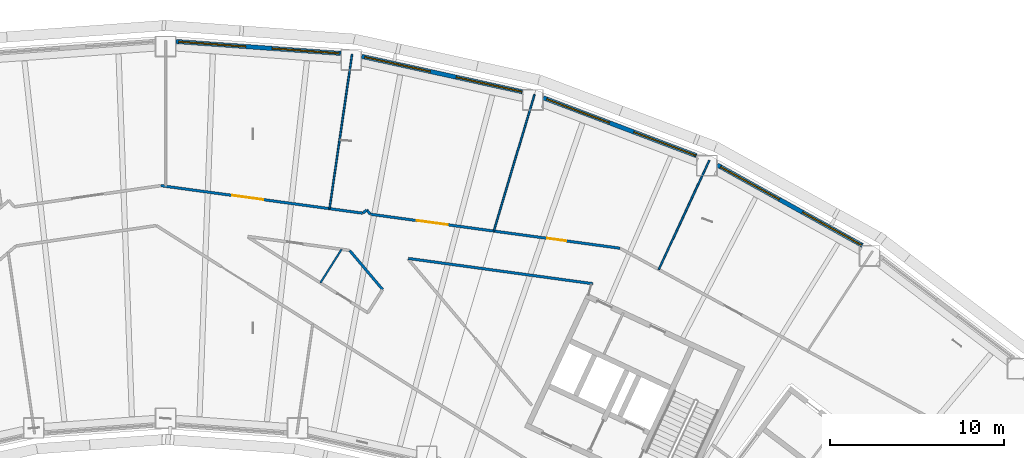
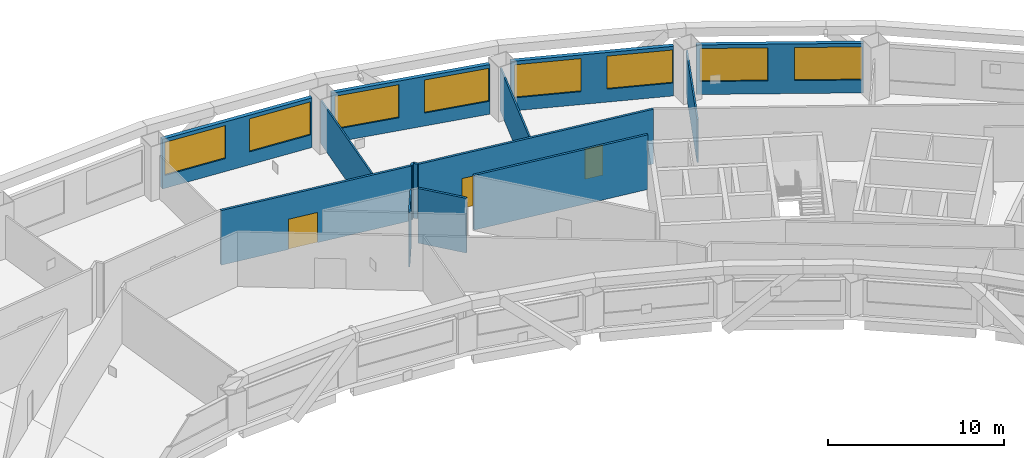
# One storey, part 8 of 19: 14 walls, 8 windows, 3 doors, 11 openings.
"""IFC4 building model written with IfcOpenShell, lengths in metres."""

from ifc_helpers import new_model, si_unit, direction, frame, frame_2d, origin, place, context, subcontext, project, spatial, rectangle, extrude, material, layer, layer_set, type_object, element, fill, save


model = new_model("IFC4")

# Units and contexts
model_context = context("Model", 3, precision=1e-05, world=origin(), true_north=direction((0.0, 1.0)))
body_context = subcontext(model_context, "Body", "Model", "MODEL_VIEW")
ifc_project = project(units=[si_unit("LENGTHUNIT", "METRE"), si_unit("AREAUNIT", "SQUARE_METRE"), si_unit("VOLUMEUNIT", "CUBIC_METRE"), si_unit("PLANEANGLEUNIT", "RADIAN"), si_unit("MASSUNIT", "GRAM", prefix="KILO")], contexts=[model_context])

# Site, building, storey
site_placement = place(None, origin())
site = spatial("IfcSite", under=ifc_project, at=site_placement, CompositionType="ELEMENT")
building_placement = place(site_placement, origin())
building = spatial("IfcBuilding", under=site, at=building_placement, Name="Tuul Gate Civic Tower", CompositionType="ELEMENT")
storey_placement = place(building_placement, frame((0.0, 0.0, 90.60009765625)))
storey = spatial("IfcBuildingStorey", under=building, at=storey_placement, Name="Level 20", CompositionType="ELEMENT", Elevation=90.60009765625)

# Wall, opening, door
ifc_material_1 = material(Name="Gypsum board partition")
ifc_layer_1 = layer(ifc_material_1, 0.14990234375)
ifc_layer_set_1 = layer_set([ifc_layer_1], Name="Gypsum board partition")
wall_type_1 = type_object("IfcWallType", Name="Corridor wall P150", PredefinedType="PARTITIONING", material=ifc_layer_set_1)
wall_1_placement = place(storey_placement, frame((4.52392578125, 10.715087890625, 0.0), z_axis=(0.0, 0.0, 1.0), x_axis=(0.990835627406, -0.135073163368, 0.0)))
wall_1 = element("IfcWall", 1, at=wall_1_placement, inside=storey, type_object=wall_type_1, Name="p011", PredefinedType="PARTITIONING", context=body_context, shape_type="SweptSolid", body=[
    extrude(rectangle(XDim=11.69970703125, YDim=0.14990234375, at=frame_2d((5.849853515625, 0.0))), origin(), (0.0, 0.0, 1.0), 3.7998046875),
])
opening_1_placement = place(wall_1_placement, frame((4.13330078125, 0.0, 0.0)))
opening_1 = element("IfcOpeningElement", 2, at=opening_1_placement, cuts=wall_1, Name="Opening F-D05", PredefinedType="OPENING", context=body_context, shape_type="SweptSolid", body=[
    extrude(rectangle(XDim=1.800048828125, YDim=2.10009765625, at=frame_2d((0.89990234375, 1.050048828125))), frame((0.0, 0.0849609375, 0.0), z_axis=(0.0, -1.0, 0.0), x_axis=(1.0, 0.0, 0.0)), (0.0, 0.0, 1.0), 0.169921875),
])
ifc_material_2 = material(Name="Timber door leaf, double", Category="wood")
door_type_1 = type_object("IfcDoorType", Name="Door D18", OperationType="DOUBLE_DOOR_SINGLE_SWING", PredefinedType="DOOR", material=ifc_material_2)
door_1_placement = place(opening_1_placement, origin())
door_1 = element("IfcDoor", 3, at=door_1_placement, inside=storey, type_object=door_type_1, Name="Door F-D05", OperationType="DOUBLE_DOOR_SINGLE_SWING", OverallHeight=2.10009765625, OverallWidth=1.800048828125, PredefinedType="DOOR", context=body_context, shape_type="SweptSolid", body=[
    extrude(rectangle(XDim=1.800048828125, YDim=2.10009765625, at=frame_2d((0.89990234375, 1.050048828125))), frame((0.0, 0.02490234375, 0.0), z_axis=(0.0, -1.0, 0.0), x_axis=(1.0, 0.0, 0.0)), (0.0, 0.0, 1.0), 0.050048828125),
])
fill(opening_1, door_1)

# Wall, openings, doors
wall_2_placement = place(storey_placement, frame((16.561767578125, 9.07421875, 0.0), z_axis=(0.0, 0.0, 1.0), x_axis=(0.990834690685, -0.135080034555, 0.0)))
wall_2 = element("IfcWall", 4, at=wall_2_placement, inside=storey, type_object=wall_type_1, Name="p012", PredefinedType="PARTITIONING", context=body_context, shape_type="SweptSolid", body=[
    extrude(rectangle(XDim=14.451904296875, YDim=0.14990234375, at=frame_2d((7.22607421875, 0.0))), origin(), (0.0, 0.0, 1.0), 3.7998046875),
])
opening_2_placement = place(wall_2_placement, frame((10.25, 0.0, 0.0)))
opening_2 = element("IfcOpeningElement", 5, at=opening_2_placement, cuts=wall_2, Name="Opening F-D03", PredefinedType="OPENING", context=body_context, shape_type="SweptSolid", body=[
    extrude(rectangle(XDim=1.10009765625, YDim=2.10009765625, at=frame_2d((0.550048828125, 1.050048828125))), frame((0.0, 0.0849609375, 0.0), z_axis=(0.0, -1.0, 0.0), x_axis=(1.0, 0.0, 0.0)), (0.0, 0.0, 1.0), 0.169921875),
])
opening_3_placement = place(wall_2_placement, frame((2.674072265625, 0.0, 0.0)))
opening_3 = element("IfcOpeningElement", 6, at=opening_3_placement, cuts=wall_2, Name="Opening F-D04", PredefinedType="OPENING", context=body_context, shape_type="SweptSolid", body=[
    extrude(rectangle(XDim=1.800048828125, YDim=2.10009765625, at=frame_2d((0.89990234375, 1.050048828125))), frame((0.0, 0.0849609375, 0.0), z_axis=(0.0, -1.0, 0.0), x_axis=(1.0, 0.0, 0.0)), (0.0, 0.0, 1.0), 0.169921875),
])
ifc_material_3 = material(Name="Timber door leaf", Category="wood")
door_type_2 = type_object("IfcDoorType", Name="Door D11", OperationType="NOTDEFINED", PredefinedType="DOOR", material=ifc_material_3)
door_2_placement = place(opening_2_placement, origin())
door_2 = element("IfcDoor", 7, at=door_2_placement, inside=storey, type_object=door_type_2, Name="Door F-D03", OperationType="SINGLE_SWING_RIGHT", OverallHeight=2.10009765625, OverallWidth=1.10009765625, PredefinedType="DOOR", context=body_context, shape_type="SweptSolid", body=[
    extrude(rectangle(XDim=1.10009765625, YDim=2.10009765625, at=frame_2d((0.550048828125, 1.050048828125))), frame((0.0, 0.02490234375, 0.0), z_axis=(0.0, -1.0, 0.0), x_axis=(1.0, 0.0, 0.0)), (0.0, 0.0, 1.0), 0.050048828125),
])
fill(opening_2, door_2)
door_3_placement = place(opening_3_placement, origin())
door_3 = element("IfcDoor", 8, at=door_3_placement, inside=storey, type_object=door_type_1, Name="Door F-D04", OperationType="DOUBLE_DOOR_SINGLE_SWING", OverallHeight=2.10009765625, OverallWidth=1.800048828125, PredefinedType="DOOR", context=body_context, shape_type="SweptSolid", body=[
    extrude(rectangle(XDim=1.800048828125, YDim=2.10009765625, at=frame_2d((0.89990234375, 1.050048828125))), frame((0.0, 0.02490234375, 0.0), z_axis=(0.0, -1.0, 0.0), x_axis=(1.0, 0.0, 0.0)), (0.0, 0.0, 1.0), 0.050048828125),
])
fill(opening_3, door_3)

# Walls
wall_3_placement = place(storey_placement, frame((16.346923828125, 9.3203125, 0.0), z_axis=(0.0, 0.0, 1.0), x_axis=(0.645837465776, -0.763474929385, 0.0)))
element("IfcWall", 9, at=wall_3_placement, inside=storey, type_object=wall_type_1, Name="p015", PredefinedType="PARTITIONING", context=body_context, shape_type="SweptSolid", body=[
    extrude(rectangle(XDim=0.3134765625, YDim=0.14990234375, at=frame_2d((0.15673828125, 0.0))), origin(), (0.0, 0.0, 1.0), 3.7998046875),
])
wall_4_placement = place(storey_placement, frame((16.132080078125, 9.139404296875, 0.0), z_axis=(0.0, 0.0, 1.0), x_axis=(0.764211041298, 0.644966266062, 0.0)))
element("IfcWall", 10, at=wall_4_placement, inside=storey, type_object=wall_type_1, Name="p017", PredefinedType="PARTITIONING", context=body_context, shape_type="SweptSolid", body=[
    extrude(rectangle(XDim=0.280517578125, YDim=0.14990234375, at=frame_2d((0.14013671875, 0.0))), origin(), (0.0, 0.0, 1.0), 3.7998046875),
])
wall_5_placement = place(storey_placement, frame((15.366943359375, 6.993896484375, 0.0), z_axis=(0.0, 0.0, 1.0), x_axis=(0.645340752688, -0.76389483106, 0.0)))
element("IfcWall", 11, at=wall_5_placement, inside=storey, type_object=wall_type_1, Name="p039", PredefinedType="PARTITIONING", context=body_context, shape_type="SweptSolid", body=[
    extrude(rectangle(XDim=2.930419921875, YDim=0.14990234375, at=frame_2d((1.46533203125, 0.0))), origin(), (0.0, 0.0, 1.0), 3.7998046875),
])
wall_6_placement = place(storey_placement, frame((18.736083984375, 6.53662109375, 0.0), z_axis=(0.0, 0.0, 1.0), x_axis=(0.990753616784, -0.135673397645, 0.0)))
element("IfcWall", 12, at=wall_6_placement, inside=storey, type_object=wall_type_1, Name="p049", PredefinedType="PARTITIONING", context=body_context, shape_type="SweptSolid", body=[
    extrude(rectangle(XDim=10.696044921875, YDim=0.14990234375, at=frame_2d((5.34814453125, 0.0))), origin(), (0.0, 0.0, 1.0), 3.7998046875),
])

# Wall, openings, windows
ifc_material_4 = material(Name="Precast concrete C40/50", Category="concrete")
ifc_layer_2 = layer(ifc_material_4, 0.25)
ifc_layer_set_2 = layer_set([ifc_layer_2], Name="Precast concrete C40/50")
wall_type_2 = type_object("IfcWallType", Name="External wall", PredefinedType="STANDARD", material=ifc_layer_set_2)
wall_7_placement = place(storey_placement, frame((44.798583984375, 7.283935546875, 0.0), z_axis=(0.0, 0.0, 1.0), x_axis=(-0.874600835604, 0.484843663835, 0.0)))
wall_7 = element("IfcWall", 13, at=wall_7_placement, inside=storey, type_object=wall_type_2, Name="External wall", PredefinedType="STANDARD", context=body_context, shape_type="SweptSolid", body=[
    extrude(rectangle(XDim=9.5205078125, YDim=0.25, at=frame_2d((4.76025390625, 0.0))), origin(), (0.0, 0.0, 1.0), 3.449951171875),
])
opening_4_placement = place(wall_7_placement, frame((0.0771484375, 0.0, 0.89990234375)))
opening_4 = element("IfcOpeningElement", 14, at=opening_4_placement, cuts=wall_7, Name="Opening W22", PredefinedType="OPENING", context=body_context, shape_type="SweptSolid", body=[
    extrude(rectangle(XDim=3.85009765625, YDim=2.300048828125, at=frame_2d((1.925048828125, 1.14990234375))), frame((0.0, 0.135009765625, 0.0), z_axis=(0.0, -1.0, 0.0), x_axis=(1.0, 0.0, 0.0)), (0.0, 0.0, 1.0), 0.27001953125),
])
opening_5_placement = place(wall_7_placement, frame((5.447998046875, 0.0, 0.89990234375)))
opening_5 = element("IfcOpeningElement", 15, at=opening_5_placement, cuts=wall_7, Name="Opening W22", PredefinedType="OPENING", context=body_context, shape_type="SweptSolid", body=[
    extrude(rectangle(XDim=3.85009765625, YDim=2.300048828125, at=frame_2d((1.925048828125, 1.14990234375))), frame((0.0, 0.135009765625, 0.0), z_axis=(0.0, -1.0, 0.0), x_axis=(1.0, 0.0, 0.0)), (0.0, 0.0, 1.0), 0.27001953125),
])
ifc_material_5 = material(Name="Glass", Category="glass")
window_type_1 = type_object("IfcWindowType", Name="Window W22 3850 x 2300", PartitioningType="SINGLE_PANEL", PredefinedType="WINDOW", material=ifc_material_5)
window_1_placement = place(opening_4_placement, origin())
window_1 = element("IfcWindow", 16, at=window_1_placement, inside=storey, type_object=window_type_1, Name="Window", OverallHeight=2.300048828125, OverallWidth=3.85009765625, PartitioningType="SINGLE_PANEL", PredefinedType="WINDOW", context=body_context, shape_type="SweptSolid", body=[
    extrude(rectangle(XDim=3.85009765625, YDim=2.300048828125, at=frame_2d((1.925048828125, 1.14990234375))), frame((0.0, 0.030029296875, 0.0), z_axis=(0.0, -1.0, 0.0), x_axis=(1.0, 0.0, 0.0)), (0.0, 0.0, 1.0), 0.06005859375),
])
fill(opening_4, window_1)
window_2_placement = place(opening_5_placement, origin())
window_2 = element("IfcWindow", 17, at=window_2_placement, inside=storey, type_object=window_type_1, Name="Window", OverallHeight=2.300048828125, OverallWidth=3.85009765625, PartitioningType="SINGLE_PANEL", PredefinedType="WINDOW", context=body_context, shape_type="SweptSolid", body=[
    extrude(rectangle(XDim=3.85009765625, YDim=2.300048828125, at=frame_2d((1.925048828125, 1.14990234375))), frame((0.0, 0.030029296875, 0.0), z_axis=(0.0, -1.0, 0.0), x_axis=(1.0, 0.0, 0.0)), (0.0, 0.0, 1.0), 0.06005859375),
])
fill(opening_5, window_2)

wall_8_placement = place(storey_placement, frame((35.27197265625, 12.43505859375, 0.0), z_axis=(0.0, 0.0, 1.0), x_axis=(-0.935339717619, 0.35375077759, 0.0)))
wall_8 = element("IfcWall", 18, at=wall_8_placement, inside=storey, type_object=wall_type_2, Name="External wall", PredefinedType="STANDARD", context=body_context, shape_type="SweptSolid", body=[
    extrude(rectangle(XDim=9.394287109375, YDim=0.25, at=frame_2d((4.697265625, 0.0))), origin(), (0.0, 0.0, 1.0), 3.449951171875),
])
opening_6_placement = place(wall_8_placement, frame((0.044921875, 0.0, 0.89990234375)))
opening_6 = element("IfcOpeningElement", 19, at=opening_6_placement, cuts=wall_8, Name="Opening W100", PredefinedType="OPENING", context=body_context, shape_type="SweptSolid", body=[
    extrude(rectangle(XDim=3.800048828125, YDim=2.300048828125, at=frame_2d((1.89990234375, 1.14990234375))), frame((0.0, 0.135009765625, 0.0), z_axis=(0.0, -1.0, 0.0), x_axis=(1.0, 0.0, 0.0)), (0.0, 0.0, 1.0), 0.27001953125),
])
opening_7_placement = place(wall_8_placement, frame((5.33447265625, 0.0, 0.89990234375)))
opening_7 = element("IfcOpeningElement", 20, at=opening_7_placement, cuts=wall_8, Name="Opening W22", PredefinedType="OPENING", context=body_context, shape_type="SweptSolid", body=[
    extrude(rectangle(XDim=3.85009765625, YDim=2.300048828125, at=frame_2d((1.925048828125, 1.14990234375))), frame((0.0, 0.135009765625, 0.0), z_axis=(0.0, -1.0, 0.0), x_axis=(1.0, 0.0, 0.0)), (0.0, 0.0, 1.0), 0.27001953125),
])
ifc_material_6 = material(Name="Glass", Category="glass")
window_type_2 = type_object("IfcWindowType", Name="Window W100 3800 x 2300", PartitioningType="SINGLE_PANEL", PredefinedType="WINDOW", material=ifc_material_6)
window_3_placement = place(opening_6_placement, origin())
window_3 = element("IfcWindow", 21, at=window_3_placement, inside=storey, type_object=window_type_2, Name="Window", OverallHeight=2.300048828125, OverallWidth=3.800048828125, PartitioningType="SINGLE_PANEL", PredefinedType="WINDOW", context=body_context, shape_type="SweptSolid", body=[
    extrude(rectangle(XDim=3.800048828125, YDim=2.300048828125, at=frame_2d((1.89990234375, 1.14990234375))), frame((0.0, 0.030029296875, 0.0), z_axis=(0.0, -1.0, 0.0), x_axis=(1.0, 0.0, 0.0)), (0.0, 0.0, 1.0), 0.06005859375),
])
fill(opening_6, window_3)
window_4_placement = place(opening_7_placement, origin())
window_4 = element("IfcWindow", 22, at=window_4_placement, inside=storey, type_object=window_type_1, Name="Window", OverallHeight=2.300048828125, OverallWidth=3.85009765625, PartitioningType="SINGLE_PANEL", PredefinedType="WINDOW", context=body_context, shape_type="SweptSolid", body=[
    extrude(rectangle(XDim=3.85009765625, YDim=2.300048828125, at=frame_2d((1.925048828125, 1.14990234375))), frame((0.0, 0.030029296875, 0.0), z_axis=(0.0, -1.0, 0.0), x_axis=(1.0, 0.0, 0.0)), (0.0, 0.0, 1.0), 0.06005859375),
])
fill(opening_7, window_4)

wall_9_placement = place(storey_placement, frame((25.284912109375, 16.1025390625, 0.0), z_axis=(0.0, 0.0, 1.0), x_axis=(-0.976565560321, 0.215220134732, 0.0)))
wall_9 = element("IfcWall", 23, at=wall_9_placement, inside=storey, type_object=wall_type_2, Name="External wall", PredefinedType="STANDARD", context=body_context, shape_type="SweptSolid", body=[
    extrude(rectangle(XDim=9.4482421875, YDim=0.25, at=frame_2d((4.72412109375, 0.0))), origin(), (0.0, 0.0, 1.0), 3.449951171875),
])
opening_8_placement = place(wall_9_placement, frame((0.041748046875, 0.0, 0.89990234375)))
opening_8 = element("IfcOpeningElement", 24, at=opening_8_placement, cuts=wall_9, Name="Opening W22", PredefinedType="OPENING", context=body_context, shape_type="SweptSolid", body=[
    extrude(rectangle(XDim=3.85009765625, YDim=2.300048828125, at=frame_2d((1.925048828125, 1.14990234375))), frame((0.0, 0.135009765625, 0.0), z_axis=(0.0, -1.0, 0.0), x_axis=(1.0, 0.0, 0.0)), (0.0, 0.0, 1.0), 0.27001953125),
])
opening_9_placement = place(wall_9_placement, frame((5.4130859375, 0.0, 0.89990234375)))
opening_9 = element("IfcOpeningElement", 25, at=opening_9_placement, cuts=wall_9, Name="Opening W22", PredefinedType="OPENING", context=body_context, shape_type="SweptSolid", body=[
    extrude(rectangle(XDim=3.85009765625, YDim=2.300048828125, at=frame_2d((1.925048828125, 1.14990234375))), frame((0.0, 0.135009765625, 0.0), z_axis=(0.0, -1.0, 0.0), x_axis=(1.0, 0.0, 0.0)), (0.0, 0.0, 1.0), 0.27001953125),
])
window_5_placement = place(opening_8_placement, origin())
window_5 = element("IfcWindow", 26, at=window_5_placement, inside=storey, type_object=window_type_1, Name="Window", OverallHeight=2.300048828125, OverallWidth=3.85009765625, PartitioningType="SINGLE_PANEL", PredefinedType="WINDOW", context=body_context, shape_type="SweptSolid", body=[
    extrude(rectangle(XDim=3.85009765625, YDim=2.300048828125, at=frame_2d((1.925048828125, 1.14990234375))), frame((0.0, 0.030029296875, 0.0), z_axis=(0.0, -1.0, 0.0), x_axis=(1.0, 0.0, 0.0)), (0.0, 0.0, 1.0), 0.06005859375),
])
fill(opening_8, window_5)
window_6_placement = place(opening_9_placement, origin())
window_6 = element("IfcWindow", 27, at=window_6_placement, inside=storey, type_object=window_type_1, Name="Window", OverallHeight=2.300048828125, OverallWidth=3.85009765625, PartitioningType="SINGLE_PANEL", PredefinedType="WINDOW", context=body_context, shape_type="SweptSolid", body=[
    extrude(rectangle(XDim=3.85009765625, YDim=2.300048828125, at=frame_2d((1.925048828125, 1.14990234375))), frame((0.0, 0.030029296875, 0.0), z_axis=(0.0, -1.0, 0.0), x_axis=(1.0, 0.0, 0.0)), (0.0, 0.0, 1.0), 0.06005859375),
])
fill(opening_9, window_6)

wall_10_placement = place(storey_placement, frame((14.85791015625, 18.304931640625, 0.0), z_axis=(0.0, 0.0, 1.0), x_axis=(-0.997388240585, 0.072226709338, 0.0)))
wall_10 = element("IfcWall", 28, at=wall_10_placement, inside=storey, type_object=wall_type_2, Name="External wall", PredefinedType="STANDARD", context=body_context, shape_type="SweptSolid", body=[
    extrude(rectangle(XDim=9.474609375, YDim=0.25, at=frame_2d((4.7373046875, 0.0))), origin(), (0.0, 0.0, 1.0), 3.449951171875),
])
opening_10_placement = place(wall_10_placement, frame((0.10302734375, 0.0, 0.89990234375)))
opening_10 = element("IfcOpeningElement", 29, at=opening_10_placement, cuts=wall_10, Name="Opening W22", PredefinedType="OPENING", context=body_context, shape_type="SweptSolid", body=[
    extrude(rectangle(XDim=3.85009765625, YDim=2.300048828125, at=frame_2d((1.925048828125, 1.14990234375))), frame((0.0, 0.135009765625, 0.0), z_axis=(0.0, -1.0, 0.0), x_axis=(1.0, 0.0, 0.0)), (0.0, 0.0, 1.0), 0.27001953125),
])
opening_11_placement = place(wall_10_placement, frame((5.474609375, 0.0, 0.89990234375)))
opening_11 = element("IfcOpeningElement", 30, at=opening_11_placement, cuts=wall_10, Name="Opening W22", PredefinedType="OPENING", context=body_context, shape_type="SweptSolid", body=[
    extrude(rectangle(XDim=3.85009765625, YDim=2.300048828125, at=frame_2d((1.925048828125, 1.14990234375))), frame((0.0, 0.135009765625, 0.0), z_axis=(0.0, -1.0, 0.0), x_axis=(1.0, 0.0, 0.0)), (0.0, 0.0, 1.0), 0.27001953125),
])
window_7_placement = place(opening_10_placement, origin())
window_7 = element("IfcWindow", 31, at=window_7_placement, inside=storey, type_object=window_type_1, Name="Window", OverallHeight=2.300048828125, OverallWidth=3.85009765625, PartitioningType="SINGLE_PANEL", PredefinedType="WINDOW", context=body_context, shape_type="SweptSolid", body=[
    extrude(rectangle(XDim=3.85009765625, YDim=2.300048828125, at=frame_2d((1.925048828125, 1.14990234375))), frame((0.0, 0.030029296875, 0.0), z_axis=(0.0, -1.0, 0.0), x_axis=(1.0, 0.0, 0.0)), (0.0, 0.0, 1.0), 0.06005859375),
])
fill(opening_10, window_7)
window_8_placement = place(opening_11_placement, origin())
window_8 = element("IfcWindow", 32, at=window_8_placement, inside=storey, type_object=window_type_1, Name="Window", OverallHeight=2.300048828125, OverallWidth=3.85009765625, PartitioningType="SINGLE_PANEL", PredefinedType="WINDOW", context=body_context, shape_type="SweptSolid", body=[
    extrude(rectangle(XDim=3.85009765625, YDim=2.300048828125, at=frame_2d((1.925048828125, 1.14990234375))), frame((0.0, 0.030029296875, 0.0), z_axis=(0.0, -1.0, 0.0), x_axis=(1.0, 0.0, 0.0)), (0.0, 0.0, 1.0), 0.06005859375),
])
fill(opening_11, window_8)

# Walls
ifc_material_7 = material(Name="Gypsum board partition")
ifc_layer_3 = layer(ifc_material_7, 0.10009765625)
ifc_layer_set_3 = layer_set([ifc_layer_3], Name="Gypsum board partition")
wall_type_3 = type_object("IfcWallType", Name="Partition P100", PredefinedType="PARTITIONING", material=ifc_layer_set_3)
wall_11_placement = place(storey_placement, frame((13.68896484375, 5.13427734375, 0.0), z_axis=(0.0, 0.0, 1.0), x_axis=(0.533912379842, 0.845539810211, 0.0)))
element("IfcWall", 33, at=wall_11_placement, inside=storey, type_object=wall_type_3, Name="p053", PredefinedType="PARTITIONING", context=body_context, shape_type="SweptSolid", body=[
    extrude(rectangle(XDim=2.279052734375, YDim=0.10009765625, at=frame_2d((1.1396484375, 0.0))), origin(), (0.0, 0.0, 1.0), 3.7998046875),
])
ifc_material_8 = material(Name="Gypsum board partition")
ifc_layer_4 = layer(ifc_material_8, 0.10009765625)
ifc_layer_set_4 = layer_set([ifc_layer_4], Name="Gypsum board partition")
wall_type_4 = type_object("IfcWallType", Name="Partition P100 3000 HIGH", PredefinedType="PARTITIONING", material=ifc_layer_set_4)
wall_12_placement = place(storey_placement, frame((33.111328125, 5.901611328125, 0.0), z_axis=(0.0, 0.0, 1.0), x_axis=(0.420343760067, 0.907364933956, 0.0)))
element("IfcWall", 34, at=wall_12_placement, inside=storey, type_object=wall_type_4, Name="p009", PredefinedType="PARTITIONING", context=body_context, shape_type="SweptSolid", body=[
    extrude(rectangle(XDim=6.898193359375, YDim=0.10009765625, at=frame_2d((3.44921875, 0.0))), origin(), (0.0, 0.0, 1.0), 3.0),
])
wall_13_placement = place(storey_placement, frame((23.64453125, 8.1083984375, 0.0), z_axis=(0.0, 0.0, 1.0), x_axis=(0.285221306763, 0.958461687376, 0.0)))
element("IfcWall", 35, at=wall_13_placement, inside=storey, type_object=wall_type_4, Name="p010", PredefinedType="PARTITIONING", context=body_context, shape_type="SweptSolid", body=[
    extrude(rectangle(XDim=8.1865234375, YDim=0.10009765625, at=frame_2d((4.09326171875, 0.0))), origin(), (0.0, 0.0, 1.0), 3.0),
])
wall_14_placement = place(storey_placement, frame((14.2138671875, 9.394287109375, 0.0), z_axis=(0.0, 0.0, 1.0), x_axis=(0.144132399915, 0.98955841227, 0.0)))
element("IfcWall", 36, at=wall_14_placement, inside=storey, type_object=wall_type_4, Name="p014", PredefinedType="PARTITIONING", context=body_context, shape_type="SweptSolid", body=[
    extrude(rectangle(XDim=8.962158203125, YDim=0.10009765625, at=frame_2d((4.48095703125, 0.0))), origin(), (0.0, 0.0, 1.0), 3.0),
])

save(model, "model.ifc")
